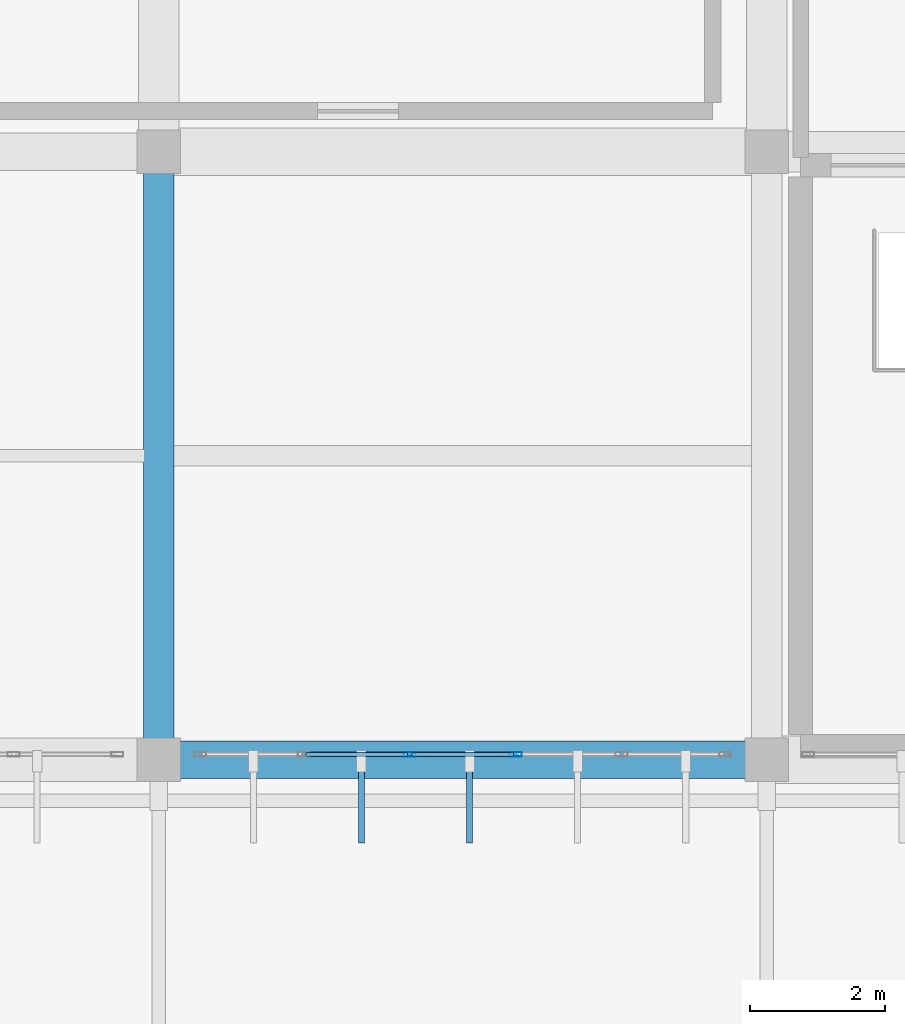
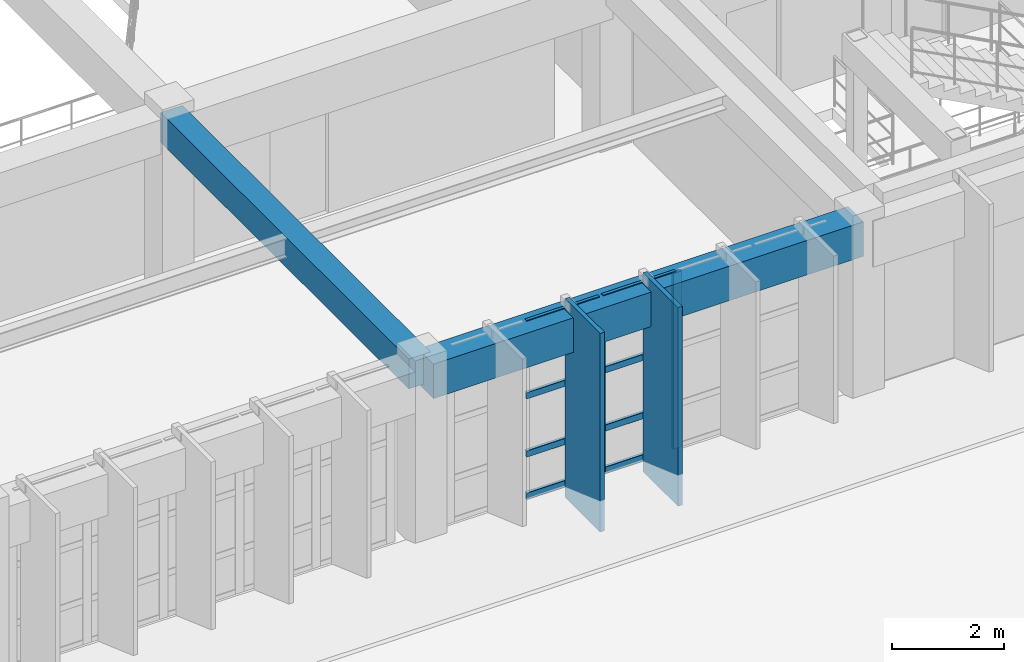
# One storey, part 19 of 80: 12 members, 2 beams, 1 element without a shape of its own.
"""IFC4 building model written with IfcOpenShell, lengths in metres."""

from ifc_helpers import new_model, si_unit, direction, frame, origin, origin_2d, place, context, subcontext, project, spatial, rectangle, hollow_rectangle, extrude, material, material_profile, profile_set, type_object, element, aggregate, save


model = new_model("IFC4")

# Units and contexts
model_context = context("Model", 3, precision=1e-05, world=origin(), true_north=direction((0.0, 1.0)))
body_context = subcontext(model_context, "Body", "Model", "MODEL_VIEW")
ifc_project = project(units=[si_unit("LENGTHUNIT", "METRE"), si_unit("AREAUNIT", "SQUARE_METRE"), si_unit("VOLUMEUNIT", "CUBIC_METRE"), si_unit("PLANEANGLEUNIT", "RADIAN"), si_unit("MASSUNIT", "GRAM", prefix="KILO")], contexts=[model_context])

# Site, building, storey
site_placement = place(None, origin())
site = spatial("IfcSite", under=ifc_project, at=site_placement, CompositionType="ELEMENT")
building_placement = place(site_placement, origin())
building = spatial("IfcBuilding", under=site, at=building_placement, Name="Miravela Opera House", CompositionType="ELEMENT")
storey_placement = place(building_placement, frame((0.0, 0.0, 17.679931640625)))
storey = spatial("IfcBuildingStorey", under=building, at=storey_placement, Name="L04", CompositionType="ELEMENT", Elevation=17.679931640625)

# Curtain wall, members
ifc_material_1 = material(Name="Anodised architectural bronze aluminium 6063-T6", Category="aluminium")
curtain_wall_type = type_object("IfcCurtainWallType", Name="ARC-CW-02", PredefinedType="NOTDEFINED", material=ifc_material_1)
curtain_wall_placement = place(storey_placement, origin())
curtain_wall = element("IfcCurtainWall", 1, at=curtain_wall_placement, inside=storey, type_object=curtain_wall_type, Name="Auditorium South Wrapper Glazing CW-L04-042", PredefinedType="NOTDEFINED")
ifc_material_profile_1 = material_profile(ifc_material_1, hollow_rectangle(XDim=0.06494140625, YDim=0.179931640625, WallThickness=0.00390625, InnerFilletRadius=0.001953125, OuterFilletRadius=0.00390625, at=origin_2d()), Name="CWM-65X180")
ifc_profile_set_1 = profile_set([ifc_material_profile_1])
member_type_1 = type_object("IfcMemberType", Name="ARC-CWM-180", PredefinedType="MULLION", material=ifc_profile_set_1)
member_1_placement = place(storey_placement, frame((39.716064453125, 37.080078125, 0.0), z_axis=(0.0, 0.0, 1.0), x_axis=(0.0, 1.0, 0.0)))
member_1 = element("IfcMember", 2, at=member_1_placement, type_object=member_type_1, Name="CW-02 mullion 3", PredefinedType="MULLION", context=body_context, shape_type="SweptSolid", body=[
    extrude(hollow_rectangle(XDim=0.06494140625, YDim=0.179931640625, WallThickness=0.00390625, InnerFilletRadius=0.001953125, OuterFilletRadius=0.00390625, at=origin_2d()), origin(), (0.0, 0.0, 1.0), 3.820068359375),
])
member_2_placement = place(storey_placement, frame((41.283935546875, 37.080078125, 0.0), z_axis=(0.0, 0.0, 1.0), x_axis=(0.0, 1.0, 0.0)))
member_2 = element("IfcMember", 3, at=member_2_placement, type_object=member_type_1, Name="CW-02 mullion 4", PredefinedType="MULLION", context=body_context, shape_type="SweptSolid", body=[
    extrude(hollow_rectangle(XDim=0.06494140625, YDim=0.179931640625, WallThickness=0.00390625, InnerFilletRadius=0.001953125, OuterFilletRadius=0.00390625, at=origin_2d()), origin(), (0.0, 0.0, 1.0), 3.820068359375),
])
ifc_material_profile_2 = material_profile(ifc_material_1, hollow_rectangle(XDim=0.06494140625, YDim=0.139892578125, WallThickness=0.00390625, InnerFilletRadius=0.001953125, OuterFilletRadius=0.00390625, at=origin_2d()), Name="CWT-65X140")
ifc_profile_set_2 = profile_set([ifc_material_profile_2])
member_type_2 = type_object("IfcMemberType", Name="ARC-CWT-140", PredefinedType="USERDEFINED", material=ifc_profile_set_2)
member_3_placement = place(storey_placement, frame((38.180419921875, 37.080078125, 0.032470703125), z_axis=(1.0, 0.0, 0.0), x_axis=(0.0, 1.0, 0.0)))
member_3 = element("IfcMember", 4, at=member_3_placement, type_object=member_type_2, Name="CW-02 transom 2.1", ObjectType="TRANSOM", PredefinedType="USERDEFINED", context=body_context, shape_type="SweptSolid", body=[
    extrude(hollow_rectangle(XDim=0.06494140625, YDim=0.139892578125, WallThickness=0.00390625, InnerFilletRadius=0.001953125, OuterFilletRadius=0.00390625, at=origin_2d()), origin(), (0.0, 0.0, 1.0), 1.503173828125),
])
member_4_placement = place(storey_placement, frame((38.180419921875, 37.080078125, 0.949951171875), z_axis=(1.0, 0.0, 0.0), x_axis=(0.0, 1.0, 0.0)))
member_4 = element("IfcMember", 5, at=member_4_placement, type_object=member_type_2, Name="CW-02 transom 2.2", ObjectType="TRANSOM", PredefinedType="USERDEFINED", context=body_context, shape_type="SweptSolid", body=[
    extrude(hollow_rectangle(XDim=0.06494140625, YDim=0.139892578125, WallThickness=0.00390625, InnerFilletRadius=0.001953125, OuterFilletRadius=0.00390625, at=origin_2d()), origin(), (0.0, 0.0, 1.0), 1.503173828125),
])
member_5_placement = place(storey_placement, frame((38.180419921875, 37.080078125, 2.215576171875), z_axis=(1.0, 0.0, 0.0), x_axis=(0.0, 1.0, 0.0)))
member_5 = element("IfcMember", 6, at=member_5_placement, type_object=member_type_2, Name="CW-02 transom 2.3", ObjectType="TRANSOM", PredefinedType="USERDEFINED", context=body_context, shape_type="SweptSolid", body=[
    extrude(hollow_rectangle(XDim=0.06494140625, YDim=0.139892578125, WallThickness=0.00390625, InnerFilletRadius=0.001953125, OuterFilletRadius=0.00390625, at=origin_2d()), origin(), (0.0, 0.0, 1.0), 1.503173828125),
])
member_6_placement = place(storey_placement, frame((38.180419921875, 37.080078125, 3.78759765625), z_axis=(1.0, 0.0, 0.0), x_axis=(0.0, 1.0, 0.0)))
member_6 = element("IfcMember", 7, at=member_6_placement, type_object=member_type_2, Name="CW-02 transom 2.4", ObjectType="TRANSOM", PredefinedType="USERDEFINED", context=body_context, shape_type="SweptSolid", body=[
    extrude(hollow_rectangle(XDim=0.06494140625, YDim=0.139892578125, WallThickness=0.00390625, InnerFilletRadius=0.001953125, OuterFilletRadius=0.00390625, at=origin_2d()), origin(), (0.0, 0.0, 1.0), 1.503173828125),
])
member_7_placement = place(storey_placement, frame((39.74853515625, 37.080078125, 0.032470703125), z_axis=(1.0, 0.0, 0.0), x_axis=(0.0, 1.0, 0.0)))
member_7 = element("IfcMember", 8, at=member_7_placement, type_object=member_type_2, Name="CW-02 transom 3.1", ObjectType="TRANSOM", PredefinedType="USERDEFINED", context=body_context, shape_type="SweptSolid", body=[
    extrude(hollow_rectangle(XDim=0.06494140625, YDim=0.139892578125, WallThickness=0.00390625, InnerFilletRadius=0.001953125, OuterFilletRadius=0.00390625, at=origin_2d()), origin(), (0.0, 0.0, 1.0), 1.5029296875),
])
member_8_placement = place(storey_placement, frame((39.74853515625, 37.080078125, 0.949951171875), z_axis=(1.0, 0.0, 0.0), x_axis=(0.0, 1.0, 0.0)))
member_8 = element("IfcMember", 9, at=member_8_placement, type_object=member_type_2, Name="CW-02 transom 3.2", ObjectType="TRANSOM", PredefinedType="USERDEFINED", context=body_context, shape_type="SweptSolid", body=[
    extrude(hollow_rectangle(XDim=0.06494140625, YDim=0.139892578125, WallThickness=0.00390625, InnerFilletRadius=0.001953125, OuterFilletRadius=0.00390625, at=origin_2d()), origin(), (0.0, 0.0, 1.0), 1.5029296875),
])
member_9_placement = place(storey_placement, frame((39.74853515625, 37.080078125, 2.215576171875), z_axis=(1.0, 0.0, 0.0), x_axis=(0.0, 1.0, 0.0)))
member_9 = element("IfcMember", 10, at=member_9_placement, type_object=member_type_2, Name="CW-02 transom 3.3", ObjectType="TRANSOM", PredefinedType="USERDEFINED", context=body_context, shape_type="SweptSolid", body=[
    extrude(hollow_rectangle(XDim=0.06494140625, YDim=0.139892578125, WallThickness=0.00390625, InnerFilletRadius=0.001953125, OuterFilletRadius=0.00390625, at=origin_2d()), origin(), (0.0, 0.0, 1.0), 1.5029296875),
])
member_10_placement = place(storey_placement, frame((39.74853515625, 37.080078125, 3.78759765625), z_axis=(1.0, 0.0, 0.0), x_axis=(0.0, 1.0, 0.0)))
member_10 = element("IfcMember", 11, at=member_10_placement, type_object=member_type_2, Name="CW-02 transom 3.4", ObjectType="TRANSOM", PredefinedType="USERDEFINED", context=body_context, shape_type="SweptSolid", body=[
    extrude(hollow_rectangle(XDim=0.06494140625, YDim=0.139892578125, WallThickness=0.00390625, InnerFilletRadius=0.001953125, OuterFilletRadius=0.00390625, at=origin_2d()), origin(), (0.0, 0.0, 1.0), 1.5029296875),
])
aggregate(curtain_wall, [member_1, member_2, member_3, member_4, member_5, member_6, member_7, member_8, member_9, member_10])

# Members
ifc_material_profile_3 = material_profile(ifc_material_1, rectangle(XDim=0.090087890625, YDim=1.25, at=origin_2d()), Name="FIN-1250X90")
ifc_profile_set_3 = profile_set([ifc_material_profile_3])
member_type_3 = type_object("IfcMemberType", Name="ARC-FIN-1250", PredefinedType="USERDEFINED", material=ifc_profile_set_3)
for number, where, z_axis, x_axis, name in (
    (12, (39.0, 36.39501953125, -0.239990234375), (0.0, 0.0, 1.0), (1.0, 0.0, 0.0), "Auditorium Wrapper Bronze Solar Fin FIN-L04-SOUTH-0122"),
    (13, (40.60009765625, 36.39501953125, -0.239990234375), (0.0, 0.0, 1.0), (1.0, 0.0, 0.0), "Auditorium Wrapper Bronze Solar Fin FIN-L04-SOUTH-0124"),
):
    element("IfcMember", number, at=place(storey_placement, frame(where, z_axis=z_axis, x_axis=x_axis)), inside=storey, type_object=member_type_3, Name=name, ObjectType="FIN", PredefinedType="USERDEFINED", context=body_context, shape_type="SweptSolid", body=[
        extrude(rectangle(XDim=0.090087890625, YDim=1.25, at=origin_2d()), origin(), (0.0, 0.0, 1.0), 4.320068359375),
    ])

# Beams
ifc_material_2 = material(Name="Concrete C35/45", Category="concrete")
ifc_material_profile_4 = material_profile(ifc_material_2, rectangle(XDim=0.449951171875, YDim=0.64990234375, at=origin_2d()), Name="RC-BM-450X650")
ifc_profile_set_4 = profile_set([ifc_material_profile_4])
beam_type_1 = type_object("IfcBeamType", Name="STR-BM-RC450X650", PredefinedType="BEAM", material=ifc_profile_set_4)
beam_1_placement = place(storey_placement, frame((36.0, 37.080078125, 3.51513671875), z_axis=(0.0, 1.0, 0.0), x_axis=(-1.0, 0.0, 0.0)))
element("IfcBeam", 14, at=beam_1_placement, inside=storey, type_object=beam_type_1, Name="Floor Girder L04 5/E-F", PredefinedType="BEAM", context=body_context, shape_type="SweptSolid", body=[
    extrude(rectangle(XDim=0.449951171875, YDim=0.64990234375, at=origin_2d()), origin(), (0.0, 0.0, 1.0), 8.83984375),
])
ifc_material_profile_5 = material_profile(ifc_material_2, rectangle(XDim=0.550048828125, YDim=0.75, at=origin_2d()), Name="RC-BM-550X750")
ifc_profile_set_5 = profile_set([ifc_material_profile_5])
beam_type_2 = type_object("IfcBeamType", Name="STR-BM-RC550X750", PredefinedType="BEAM", material=ifc_profile_set_5)
beam_2_placement = place(storey_placement, frame((36.080078125, 37.0, 3.465087890625), z_axis=(1.0, 0.0, 0.0), x_axis=(0.0, 1.0, 0.0)))
element("IfcBeam", 15, at=beam_2_placement, inside=storey, type_object=beam_type_2, Name="Floor Girder L04 5-6/E", PredefinedType="BEAM", context=body_context, shape_type="SweptSolid", body=[
    extrude(rectangle(XDim=0.550048828125, YDim=0.75, at=origin_2d()), origin(), (0.0, 0.0, 1.0), 8.83984375),
])

save(model, "model.ifc")
